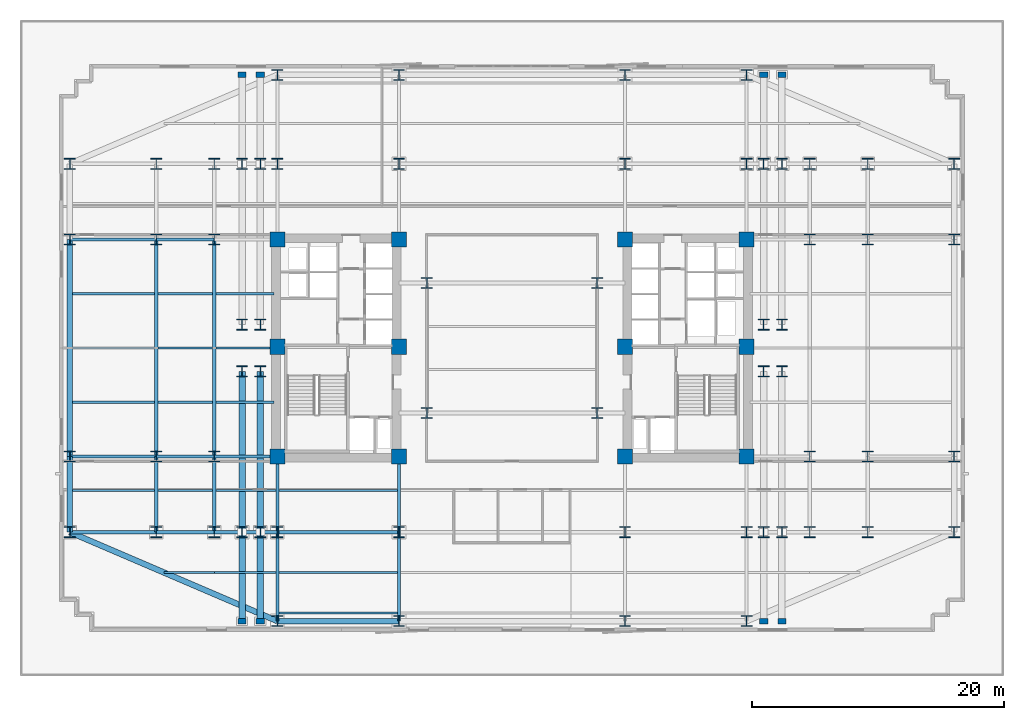
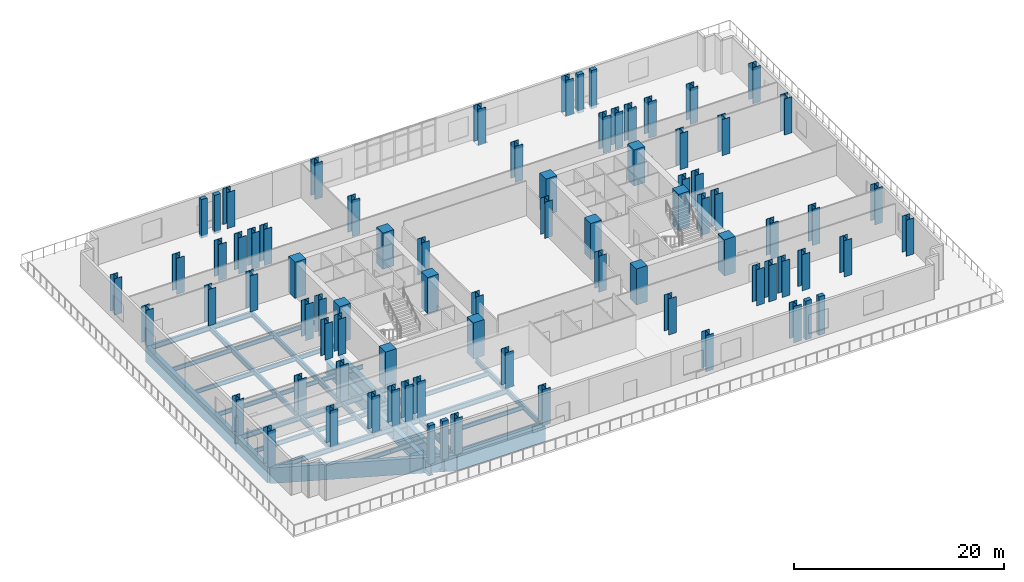
# One storey, part 1 of 14: 80 columns, 42 beams.
"""IFC4 building model written with IfcOpenShell, lengths in metres."""

from ifc_helpers import new_model, si_unit, direction, frame, origin, origin_2d, place, context, subcontext, project, spatial, rectangle, i_section, extrude, material, material_profile, profile_set, type_object, element, save


model = new_model("IFC4")

# Units and contexts
model_context = context("Model", 3, precision=1e-05, world=origin(), true_north=direction((0.0, 1.0)))
body_context = subcontext(model_context, "Body", "Model", "MODEL_VIEW")
ifc_project = project(units=[si_unit("LENGTHUNIT", "METRE"), si_unit("AREAUNIT", "SQUARE_METRE"), si_unit("VOLUMEUNIT", "CUBIC_METRE"), si_unit("PLANEANGLEUNIT", "RADIAN"), si_unit("MASSUNIT", "GRAM", prefix="KILO")], contexts=[model_context])

# Site, building, storey
site_placement = place(None, origin())
site = spatial("IfcSite", under=ifc_project, at=site_placement, CompositionType="ELEMENT")
building_placement = place(site_placement, origin())
building = spatial("IfcBuilding", under=site, at=building_placement, Name="Velakula Bourse", CompositionType="ELEMENT")
storey_placement = place(building_placement, frame((0.0, 0.0, 27.0)))
storey = spatial("IfcBuildingStorey", under=building, at=storey_placement, Name="L06", CompositionType="ELEMENT", Elevation=27.0)

# Columns
ifc_material_1 = material(Name="Concrete M70 (fck 70 MPa)", Category="concrete")
ifc_material_profile_1 = material_profile(ifc_material_1, rectangle(XDim=1.199951171875, YDim=1.199951171875, at=origin_2d()), Name="Concrete M70 (fck 70 MPa)")
ifc_profile_set_1 = profile_set([ifc_material_profile_1], Name="Concrete M70 (fck 70 MPa)")
column_type_1 = type_object("IfcColumnType", Name="COL-RC-1200", PredefinedType="COLUMN", material=ifc_profile_set_1)
for number, where, z_axis, x_axis, name in (
    (1, (-8.949951171875, -8.60009765625, 0.0), (0.0, 0.0, 1.0), (1.0, 0.0, 0.0), "L06 Core Boundary Column 01"),
    (2, (-8.949951171875, 0.10009765625, 0.0), (0.0, 0.0, 1.0), (1.0, 0.0, 0.0), "L06 Core Boundary Column 02"),
    (3, (-8.949951171875, 8.60009765625, 0.0), (0.0, 0.0, 1.0), (1.0, 0.0, 0.0), "L06 Core Boundary Column 03"),
    (4, (-18.60009765625, -8.60009765625, 0.0), (0.0, 0.0, 1.0), (1.0, 0.0, 0.0), "L06 Core Boundary Column 04"),
    (5, (-18.60009765625, 0.10009765625, 0.0), (0.0, 0.0, 1.0), (1.0, 0.0, 0.0), "L06 Core Boundary Column 05"),
    (6, (-18.60009765625, 8.60009765625, 0.0), (0.0, 0.0, 1.0), (1.0, 0.0, 0.0), "L06 Core Boundary Column 06"),
    (7, (8.949951171875, -8.60009765625, 0.0), (0.0, 0.0, 1.0), (1.0, 0.0, 0.0), "L06 Core Boundary Column 07"),
    (8, (8.949951171875, 0.10009765625, 0.0), (0.0, 0.0, 1.0), (1.0, 0.0, 0.0), "L06 Core Boundary Column 08"),
    (9, (8.949951171875, 8.60009765625, 0.0), (0.0, 0.0, 1.0), (1.0, 0.0, 0.0), "L06 Core Boundary Column 09"),
    (10, (18.60009765625, -8.60009765625, 0.0), (0.0, 0.0, 1.0), (1.0, 0.0, 0.0), "L06 Core Boundary Column 10"),
    (11, (18.60009765625, 0.10009765625, 0.0), (0.0, 0.0, 1.0), (1.0, 0.0, 0.0), "L06 Core Boundary Column 11"),
    (12, (18.60009765625, 8.60009765625, 0.0), (0.0, 0.0, 1.0), (1.0, 0.0, 0.0), "L06 Core Boundary Column 12"),
):
    element("IfcColumn", number, at=place(storey_placement, frame(where, z_axis=z_axis, x_axis=x_axis)), inside=storey, type_object=column_type_1, Name=name, PredefinedType="COLUMN", context=body_context, shape_type="SweptSolid", body=[
        extrude(rectangle(XDim=1.199951171875, YDim=1.199951171875, at=origin_2d()), origin(), (0.0, 0.0, 1.0), 4.199951171875),
    ])
ifc_material_2 = material(Name="Steel IS 2062 Grade 450 (E450)", Category="steel")
ifc_material_profile_2 = material_profile(ifc_material_2, i_section(OverallWidth=0.85009765625, OverallDepth=0.85009765625, WebThickness=0.031982421875, FlangeThickness=0.048095703125, at=origin_2d()), Name="Steel IS 2062 Grade 450 (E450)")
ifc_profile_set_2 = profile_set([ifc_material_profile_2], Name="Steel IS 2062 Grade 450 (E450)")
column_type_2 = type_object("IfcColumnType", Name="COL-STL-850", PredefinedType="COLUMN", material=ifc_profile_set_2)
for number, where, z_axis, x_axis, name in (
    (13, (-6.75, -5.14990234375, 0.0), (0.0, 0.0, 1.0), (1.0, 0.0, 0.0), "L06 Central Spine Column 01"),
    (14, (-6.75, 5.14990234375, 0.0), (0.0, 0.0, 1.0), (1.0, 0.0, 0.0), "L06 Central Spine Column 02"),
    (15, (6.75, -5.14990234375, 0.0), (0.0, 0.0, 1.0), (1.0, 0.0, 0.0), "L06 Central Spine Column 03"),
    (16, (6.75, 5.14990234375, 0.0), (0.0, 0.0, 1.0), (1.0, 0.0, 0.0), "L06 Central Spine Column 04"),
    (17, (-21.39990234375, -14.60009765625, 0.0), (0.0, 0.0, 1.0), (1.0, 0.0, 0.0), "L06 Tower Fulcrum Column 01"),
    (18, (-21.39990234375, 14.60009765625, 0.0), (0.0, 0.0, 1.0), (1.0, 0.0, 0.0), "L06 Tower Fulcrum Column 02"),
    (19, (-19.949951171875, -14.60009765625, 0.0), (0.0, 0.0, 1.0), (1.0, 0.0, 0.0), "L06 Tower Fulcrum Column 03"),
    (20, (-19.949951171875, 14.60009765625, 0.0), (0.0, 0.0, 1.0), (1.0, 0.0, 0.0), "L06 Tower Fulcrum Column 04"),
    (21, (-18.60009765625, -14.60009765625, 0.0), (0.0, 0.0, 1.0), (1.0, 0.0, 0.0), "L06 Tower Fulcrum Column 05"),
    (22, (-18.60009765625, 14.60009765625, 0.0), (0.0, 0.0, 1.0), (1.0, 0.0, 0.0), "L06 Tower Fulcrum Column 06"),
    (23, (-8.949951171875, -14.60009765625, 0.0), (0.0, 0.0, 1.0), (1.0, 0.0, 0.0), "L06 Tower Fulcrum Column 07"),
    (24, (-8.949951171875, 14.60009765625, 0.0), (0.0, 0.0, 1.0), (1.0, 0.0, 0.0), "L06 Tower Fulcrum Column 08"),
    (25, (8.949951171875, -14.60009765625, 0.0), (0.0, 0.0, 1.0), (1.0, 0.0, 0.0), "L06 Tower Fulcrum Column 09"),
    (26, (8.949951171875, 14.60009765625, 0.0), (0.0, 0.0, 1.0), (1.0, 0.0, 0.0), "L06 Tower Fulcrum Column 10"),
    (27, (18.60009765625, -14.60009765625, 0.0), (0.0, 0.0, 1.0), (1.0, 0.0, 0.0), "L06 Tower Fulcrum Column 11"),
    (28, (18.60009765625, 14.60009765625, 0.0), (0.0, 0.0, 1.0), (1.0, 0.0, 0.0), "L06 Tower Fulcrum Column 12"),
    (29, (19.949951171875, -14.60009765625, 0.0), (0.0, 0.0, 1.0), (1.0, 0.0, 0.0), "L06 Tower Fulcrum Column 13"),
    (30, (19.949951171875, 14.60009765625, 0.0), (0.0, 0.0, 1.0), (1.0, 0.0, 0.0), "L06 Tower Fulcrum Column 14"),
    (31, (21.39990234375, -14.60009765625, 0.0), (0.0, 0.0, 1.0), (1.0, 0.0, 0.0), "L06 Tower Fulcrum Column 15"),
    (32, (21.39990234375, 14.60009765625, 0.0), (0.0, 0.0, 1.0), (1.0, 0.0, 0.0), "L06 Tower Fulcrum Column 16"),
    (33, (-21.39990234375, -1.85009765625, 0.0), (0.0, 0.0, 1.0), (1.0, 0.0, 0.0), "L06 Tower Fulcrum Column 17"),
    (34, (-21.39990234375, 1.85009765625, 0.0), (0.0, 0.0, 1.0), (1.0, 0.0, 0.0), "L06 Tower Fulcrum Column 18"),
    (35, (-19.949951171875, -1.85009765625, 0.0), (0.0, 0.0, 1.0), (1.0, 0.0, 0.0), "L06 Tower Fulcrum Column 19"),
    (36, (-19.949951171875, 1.85009765625, 0.0), (0.0, 0.0, 1.0), (1.0, 0.0, 0.0), "L06 Tower Fulcrum Column 20"),
    (37, (19.949951171875, -1.85009765625, 0.0), (0.0, 0.0, 1.0), (1.0, 0.0, 0.0), "L06 Tower Fulcrum Column 21"),
    (38, (19.949951171875, 1.85009765625, 0.0), (0.0, 0.0, 1.0), (1.0, 0.0, 0.0), "L06 Tower Fulcrum Column 22"),
    (39, (21.39990234375, -1.85009765625, 0.0), (0.0, 0.0, 1.0), (1.0, 0.0, 0.0), "L06 Tower Fulcrum Column 23"),
    (40, (21.39990234375, 1.85009765625, 0.0), (0.0, 0.0, 1.0), (1.0, 0.0, 0.0), "L06 Tower Fulcrum Column 24"),
    (41, (-23.60009765625, -14.60009765625, 0.0), (0.0, 0.0, 1.0), (1.0, 0.0, 0.0), "L06 Mid-Wing Plumb Column 01"),
    (42, (-23.60009765625, -8.60009765625, 0.0), (0.0, 0.0, 1.0), (1.0, 0.0, 0.0), "L06 Mid-Wing Plumb Column 02"),
    (43, (-23.60009765625, 8.60009765625, 0.0), (0.0, 0.0, 1.0), (1.0, 0.0, 0.0), "L06 Mid-Wing Plumb Column 03"),
    (44, (-23.60009765625, 14.60009765625, 0.0), (0.0, 0.0, 1.0), (1.0, 0.0, 0.0), "L06 Mid-Wing Plumb Column 04"),
    (45, (23.60009765625, -14.60009765625, 0.0), (0.0, 0.0, 1.0), (1.0, 0.0, 0.0), "L06 Mid-Wing Plumb Column 05"),
    (46, (23.60009765625, -8.60009765625, 0.0), (0.0, 0.0, 1.0), (1.0, 0.0, 0.0), "L06 Mid-Wing Plumb Column 06"),
    (47, (23.60009765625, 8.60009765625, 0.0), (0.0, 0.0, 1.0), (1.0, 0.0, 0.0), "L06 Mid-Wing Plumb Column 07"),
    (48, (23.60009765625, 14.60009765625, 0.0), (0.0, 0.0, 1.0), (1.0, 0.0, 0.0), "L06 Mid-Wing Plumb Column 08"),
    (49, (-28.199951171875, -14.60009765625, 0.0), (0.0, 0.0, 1.0), (1.0, 0.0, 0.0), "L06 Lower Wing Column 01"),
    (50, (-28.199951171875, -8.60009765625, 0.0), (0.0, 0.0, 1.0), (1.0, 0.0, 0.0), "L06 Lower Wing Column 02"),
    (51, (-28.199951171875, 8.60009765625, 0.0), (0.0, 0.0, 1.0), (1.0, 0.0, 0.0), "L06 Lower Wing Column 03"),
    (52, (-28.199951171875, 14.60009765625, 0.0), (0.0, 0.0, 1.0), (1.0, 0.0, 0.0), "L06 Lower Wing Column 04"),
    (53, (28.199951171875, -14.60009765625, 0.0), (0.0, 0.0, 1.0), (1.0, 0.0, 0.0), "L06 Lower Wing Column 05"),
    (54, (28.199951171875, -8.60009765625, 0.0), (0.0, 0.0, 1.0), (1.0, 0.0, 0.0), "L06 Lower Wing Column 06"),
    (55, (28.199951171875, 8.60009765625, 0.0), (0.0, 0.0, 1.0), (1.0, 0.0, 0.0), "L06 Lower Wing Column 07"),
    (56, (28.199951171875, 14.60009765625, 0.0), (0.0, 0.0, 1.0), (1.0, 0.0, 0.0), "L06 Lower Wing Column 08"),
    (57, (-18.60009765625, -21.64990234375, 0.0), (0.0, 0.0, 1.0), (1.0, 0.0, 0.0), "L06 Block B1 Perimeter Column S1"),
    (58, (-8.949951171875, -21.64990234375, 0.0), (0.0, 0.0, 1.0), (1.0, 0.0, 0.0), "L06 Block B1 Perimeter Column S2"),
    (59, (8.949951171875, -21.64990234375, 0.0), (0.0, 0.0, 1.0), (1.0, 0.0, 0.0), "L06 Block B1 Perimeter Column S3"),
    (60, (18.60009765625, -21.64990234375, 0.0), (0.0, 0.0, 1.0), (1.0, 0.0, 0.0), "L06 Block B1 Perimeter Column S4"),
    (61, (-18.60009765625, 21.64990234375, 0.0), (0.0, 0.0, 1.0), (1.0, 0.0, 0.0), "L06 Block B1 Perimeter Column N1"),
    (62, (-8.949951171875, 21.64990234375, 0.0), (0.0, 0.0, 1.0), (1.0, 0.0, 0.0), "L06 Block B1 Perimeter Column N2"),
    (63, (8.949951171875, 21.64990234375, 0.0), (0.0, 0.0, 1.0), (1.0, 0.0, 0.0), "L06 Block B1 Perimeter Column N3"),
    (64, (18.60009765625, 21.64990234375, 0.0), (0.0, 0.0, 1.0), (1.0, 0.0, 0.0), "L06 Block B1 Perimeter Column N4"),
    (65, (-35.050048828125, -14.60009765625, 0.0), (0.0, 0.0, 1.0), (1.0, 0.0, 0.0), "L06 Block B1 Perimeter Column W1"),
    (66, (-35.050048828125, -8.60009765625, 0.0), (0.0, 0.0, 1.0), (1.0, 0.0, 0.0), "L06 Block B1 Perimeter Column W2"),
    (67, (-35.050048828125, 8.60009765625, 0.0), (0.0, 0.0, 1.0), (1.0, 0.0, 0.0), "L06 Block B1 Perimeter Column W3"),
    (68, (-35.050048828125, 14.60009765625, 0.0), (0.0, 0.0, 1.0), (1.0, 0.0, 0.0), "L06 Block B1 Perimeter Column W4"),
    (69, (35.050048828125, -14.60009765625, 0.0), (0.0, 0.0, 1.0), (1.0, 0.0, 0.0), "L06 Block B1 Perimeter Column E1"),
    (70, (35.050048828125, -8.60009765625, 0.0), (0.0, 0.0, 1.0), (1.0, 0.0, 0.0), "L06 Block B1 Perimeter Column E2"),
    (71, (35.050048828125, 8.60009765625, 0.0), (0.0, 0.0, 1.0), (1.0, 0.0, 0.0), "L06 Block B1 Perimeter Column E3"),
    (72, (35.050048828125, 14.60009765625, 0.0), (0.0, 0.0, 1.0), (1.0, 0.0, 0.0), "L06 Block B1 Perimeter Column E4"),
):
    element("IfcColumn", number, at=place(storey_placement, frame(where, z_axis=z_axis, x_axis=x_axis)), inside=storey, type_object=column_type_2, Name=name, PredefinedType="COLUMN", context=body_context, shape_type="SweptSolid", body=[
        extrude(i_section(OverallWidth=0.85009765625, OverallDepth=0.85009765625, WebThickness=0.031982421875, FlangeThickness=0.048095703125, at=origin_2d()), origin(), (0.0, 0.0, 1.0), 4.199951171875),
    ])
ifc_material_3 = material(Name="Precast concrete M45 (fck 45 MPa)", Category="concrete")
ifc_material_profile_3 = material_profile(ifc_material_3, rectangle(XDim=0.64990234375, YDim=0.449951171875, at=origin_2d()), Name="Precast concrete M45 (fck 45 MPa)")
ifc_profile_set_3 = profile_set([ifc_material_profile_3], Name="Precast concrete M45 (fck 45 MPa)")
column_type_3 = type_object("IfcColumnType", Name="PIL-BRICK-650", PredefinedType="PILASTER", material=ifc_profile_set_3)
for number, where, z_axis, x_axis, name in (
    (73, (-21.39990234375, -21.64990234375, -0.280029296875), (0.0, 0.0, 1.0), (1.0, 0.0, 0.0), "L06 Brick Pier Pilaster 01"),
    (74, (-19.949951171875, -21.64990234375, -0.280029296875), (0.0, 0.0, 1.0), (1.0, 0.0, 0.0), "L06 Brick Pier Pilaster 02"),
    (75, (19.949951171875, -21.64990234375, -0.280029296875), (0.0, 0.0, 1.0), (1.0, 0.0, 0.0), "L06 Brick Pier Pilaster 03"),
    (76, (21.39990234375, -21.64990234375, -0.280029296875), (0.0, 0.0, 1.0), (1.0, 0.0, 0.0), "L06 Brick Pier Pilaster 04"),
    (77, (-21.39990234375, 21.64990234375, -0.280029296875), (0.0, 0.0, 1.0), (1.0, 0.0, 0.0), "L06 Brick Pier Pilaster 05"),
    (78, (-19.949951171875, 21.64990234375, -0.280029296875), (0.0, 0.0, 1.0), (1.0, 0.0, 0.0), "L06 Brick Pier Pilaster 06"),
    (79, (19.949951171875, 21.64990234375, -0.280029296875), (0.0, 0.0, 1.0), (1.0, 0.0, 0.0), "L06 Brick Pier Pilaster 07"),
    (80, (21.39990234375, 21.64990234375, -0.280029296875), (0.0, 0.0, 1.0), (1.0, 0.0, 0.0), "L06 Brick Pier Pilaster 08"),
):
    element("IfcColumn", number, at=place(storey_placement, frame(where, z_axis=z_axis, x_axis=x_axis)), inside=storey, type_object=column_type_3, Name=name, PredefinedType="PILASTER", context=body_context, shape_type="SweptSolid", body=[
        extrude(rectangle(XDim=0.64990234375, YDim=0.449951171875, at=origin_2d()), origin(), (0.0, 0.0, 1.0), 4.47998046875),
    ])

# Beams
ifc_material_4 = material(Name="Steel IS 2062 Grade 350 (E350)", Category="steel")
ifc_material_profile_4 = material_profile(ifc_material_4, i_section(OverallWidth=0.25, OverallDepth=0.60009765625, WebThickness=0.01171875, FlangeThickness=0.023681640625, at=origin_2d()), Name="Steel IS 2062 Grade 350 (E350)")
ifc_profile_set_4 = profile_set([ifc_material_profile_4], Name="Steel IS 2062 Grade 350 (E350)")
beam_type_1 = type_object("IfcBeamType", Name="BM-GRD-600H", PredefinedType="BEAM", material=ifc_profile_set_4)
for number, where, z_axis, x_axis, name in (
    (81, (-18.60009765625, -14.60009765625, -0.580078125), (0.0, 1.0, 0.0), (-1.0, 0.0, 0.0), "L06 Fulcrum Grid Girder FLC-WS"),
    (82, (-8.949951171875, -14.60009765625, -0.580078125), (0.0, 1.0, 0.0), (-1.0, 0.0, 0.0), "L06 Fulcrum Grid Girder FLC-WCS"),
):
    element("IfcBeam", number, at=place(storey_placement, frame(where, z_axis=z_axis, x_axis=x_axis)), inside=storey, type_object=beam_type_1, Name=name, PredefinedType="BEAM", context=body_context, shape_type="SweptSolid", body=[
        extrude(i_section(OverallWidth=0.25, OverallDepth=0.60009765625, WebThickness=0.01171875, FlangeThickness=0.023681640625, at=origin_2d()), origin(), (0.0, 0.0, 1.0), 6.0),
    ])
beam_1_placement = place(storey_placement, frame((-18.60009765625, -14.60009765625, -0.580078125), z_axis=(1.0, 0.0, 0.0), x_axis=(0.0, 1.0, 0.0)))
element("IfcBeam", 83, at=beam_1_placement, inside=storey, type_object=beam_type_1, Name="L06 Fulcrum Grid Girder FLC-S1", PredefinedType="BEAM", context=body_context, shape_type="SweptSolid", body=[
    extrude(i_section(OverallWidth=0.25, OverallDepth=0.60009765625, WebThickness=0.01171875, FlangeThickness=0.023681640625, at=origin_2d()), origin(), (0.0, 0.0, 1.0), 9.650146484375),
])
for number, where, z_axis, x_axis, name in (
    (84, (-23.60009765625, -14.60009765625, -0.580078125), (1.0, 0.0, 0.0), (0.0, 1.0, 0.0), "L06 Fulcrum Grid Girder MWG-WS1"),
    (85, (-23.60009765625, -8.60009765625, -0.580078125), (1.0, 0.0, 0.0), (0.0, 1.0, 0.0), "L06 Fulcrum Grid Girder MWG-WS2"),
):
    element("IfcBeam", number, at=place(storey_placement, frame(where, z_axis=z_axis, x_axis=x_axis)), inside=storey, type_object=beam_type_1, Name=name, PredefinedType="BEAM", context=body_context, shape_type="SweptSolid", body=[
        extrude(i_section(OverallWidth=0.25, OverallDepth=0.60009765625, WebThickness=0.01171875, FlangeThickness=0.023681640625, at=origin_2d()), origin(), (0.0, 0.0, 1.0), 5.0),
    ])
beam_2_placement = place(storey_placement, frame((-23.60009765625, -14.60009765625, -0.580078125), z_axis=(0.0, 1.0, 0.0), x_axis=(-1.0, 0.0, 0.0)))
element("IfcBeam", 86, at=beam_2_placement, inside=storey, type_object=beam_type_1, Name="L06 Fulcrum Grid Girder MWG-WNS1", PredefinedType="BEAM", context=body_context, shape_type="SweptSolid", body=[
    extrude(i_section(OverallWidth=0.25, OverallDepth=0.60009765625, WebThickness=0.01171875, FlangeThickness=0.023681640625, at=origin_2d()), origin(), (0.0, 0.0, 1.0), 6.0),
])
beam_3_placement = place(storey_placement, frame((-23.60009765625, -8.60009765625, -0.580078125), z_axis=(0.0, 1.0, 0.0), x_axis=(-1.0, 0.0, 0.0)))
element("IfcBeam", 87, at=beam_3_placement, inside=storey, type_object=beam_type_1, Name="L06 Fulcrum Grid Girder MWG-WNS2", PredefinedType="BEAM", context=body_context, shape_type="SweptSolid", body=[
    extrude(i_section(OverallWidth=0.25, OverallDepth=0.60009765625, WebThickness=0.01171875, FlangeThickness=0.023681640625, at=origin_2d()), origin(), (0.0, 0.0, 1.0), 17.2001953125),
])
for number, where, z_axis, x_axis, name in (
    (88, (-28.199951171875, -14.60009765625, -0.580078125), (1.0, 0.0, 0.0), (0.0, 1.0, 0.0), "L06 Fulcrum Grid Girder WNG-WS1"),
    (89, (-28.199951171875, -8.60009765625, -0.580078125), (1.0, 0.0, 0.0), (0.0, 1.0, 0.0), "L06 Fulcrum Grid Girder WNG-WS2"),
    (90, (-28.199951171875, 8.60009765625, -0.580078125), (1.0, 0.0, 0.0), (0.0, 1.0, 0.0), "L06 Fulcrum Grid Girder WNG-WN1"),
):
    element("IfcBeam", number, at=place(storey_placement, frame(where, z_axis=z_axis, x_axis=x_axis)), inside=storey, type_object=beam_type_1, Name=name, PredefinedType="BEAM", context=body_context, shape_type="SweptSolid", body=[
        extrude(i_section(OverallWidth=0.25, OverallDepth=0.60009765625, WebThickness=0.01171875, FlangeThickness=0.023681640625, at=origin_2d()), origin(), (0.0, 0.0, 1.0), 4.599853515625),
    ])
beam_4_placement = place(storey_placement, frame((-28.199951171875, -14.60009765625, -0.580078125), z_axis=(0.0, 1.0, 0.0), x_axis=(-1.0, 0.0, 0.0)))
element("IfcBeam", 91, at=beam_4_placement, inside=storey, type_object=beam_type_1, Name="L06 Fulcrum Grid Girder WNG-WNS1", PredefinedType="BEAM", context=body_context, shape_type="SweptSolid", body=[
    extrude(i_section(OverallWidth=0.25, OverallDepth=0.60009765625, WebThickness=0.01171875, FlangeThickness=0.023681640625, at=origin_2d()), origin(), (0.0, 0.0, 1.0), 6.0),
])
beam_5_placement = place(storey_placement, frame((-28.199951171875, -8.60009765625, -0.580078125), z_axis=(0.0, 1.0, 0.0), x_axis=(-1.0, 0.0, 0.0)))
element("IfcBeam", 92, at=beam_5_placement, inside=storey, type_object=beam_type_1, Name="L06 Fulcrum Grid Girder WNG-WNS2", PredefinedType="BEAM", context=body_context, shape_type="SweptSolid", body=[
    extrude(i_section(OverallWidth=0.25, OverallDepth=0.60009765625, WebThickness=0.01171875, FlangeThickness=0.023681640625, at=origin_2d()), origin(), (0.0, 0.0, 1.0), 17.2001953125),
])
for number, where, z_axis, x_axis, name in (
    (93, (-18.60009765625, -14.60009765625, -0.580078125), (0.0, -1.0, 0.0), (1.0, 0.0, 0.0), "L06 Perimeter Tie Girder S1"),
    (94, (-8.949951171875, -14.60009765625, -0.580078125), (0.0, -1.0, 0.0), (1.0, 0.0, 0.0), "L06 Perimeter Tie Girder S2"),
):
    element("IfcBeam", number, at=place(storey_placement, frame(where, z_axis=z_axis, x_axis=x_axis)), inside=storey, type_object=beam_type_1, Name=name, PredefinedType="BEAM", context=body_context, shape_type="SweptSolid", body=[
        extrude(i_section(OverallWidth=0.25, OverallDepth=0.60009765625, WebThickness=0.01171875, FlangeThickness=0.023681640625, at=origin_2d()), origin(), (0.0, 0.0, 1.0), 7.0498046875),
    ])
for number, where, z_axis, x_axis, name in (
    (95, (-28.199951171875, -14.60009765625, -0.580078125), (-1.0, 0.0, 0.0), (0.0, -1.0, 0.0), "L06 Perimeter Tie Girder W1"),
    (96, (-28.199951171875, -8.60009765625, -0.580078125), (-1.0, 0.0, 0.0), (0.0, -1.0, 0.0), "L06 Perimeter Tie Girder W2"),
    (97, (-28.199951171875, 8.60009765625, -0.580078125), (-1.0, 0.0, 0.0), (0.0, -1.0, 0.0), "L06 Perimeter Tie Girder W3"),
):
    element("IfcBeam", number, at=place(storey_placement, frame(where, z_axis=z_axis, x_axis=x_axis)), inside=storey, type_object=beam_type_1, Name=name, PredefinedType="BEAM", context=body_context, shape_type="SweptSolid", body=[
        extrude(i_section(OverallWidth=0.25, OverallDepth=0.60009765625, WebThickness=0.01171875, FlangeThickness=0.023681640625, at=origin_2d()), origin(), (0.0, 0.0, 1.0), 6.85009765625),
    ])
ifc_material_profile_5 = material_profile(ifc_material_4, i_section(OverallWidth=0.179931640625, OverallDepth=0.5, WebThickness=0.01025390625, FlangeThickness=0.01708984375, at=origin_2d()), Name="Steel IS 2062 Grade 350 (E350)")
ifc_profile_set_5 = profile_set([ifc_material_profile_5], Name="Steel IS 2062 Grade 350 (E350)")
beam_type_2 = type_object("IfcBeamType", Name="JST-TWR-500", PredefinedType="JOIST", material=ifc_profile_set_5)
beam_6_placement = place(storey_placement, frame((-18.47509765625, -21.0, -0.530029296875), z_axis=(1.0, 0.0, 0.0), x_axis=(0.0, 1.0, 0.0)))
element("IfcBeam", 98, at=beam_6_placement, inside=storey, type_object=beam_type_2, Name="L06 Trading Floor Composite Joist 01", PredefinedType="JOIST", context=body_context, shape_type="SweptSolid", body=[
    extrude(i_section(OverallWidth=0.179931640625, OverallDepth=0.5, WebThickness=0.01025390625, FlangeThickness=0.01708984375, at=origin_2d()), origin(), (0.0, 0.0, 1.0), 9.400146484375),
])
beam_7_placement = place(storey_placement, frame((-27.583251953125, -17.800048828125, -0.530029296875), z_axis=(1.0, 0.0, 0.0), x_axis=(0.0, 1.0, 0.0)))
element("IfcBeam", 99, at=beam_7_placement, inside=storey, type_object=beam_type_2, Name="L06 Trading Floor Composite Joist 04", PredefinedType="JOIST", context=body_context, shape_type="SweptSolid", body=[
    extrude(i_section(OverallWidth=0.179931640625, OverallDepth=0.5, WebThickness=0.01025390625, FlangeThickness=0.01708984375, at=origin_2d()), origin(), (0.0, 0.0, 1.0), 3.983154296875),
])
beam_8_placement = place(storey_placement, frame((-23.60009765625, -17.800048828125, -0.530029296875), z_axis=(1.0, 0.0, 0.0), x_axis=(0.0, 1.0, 0.0)))
element("IfcBeam", 100, at=beam_8_placement, inside=storey, type_object=beam_type_2, Name="L06 Trading Floor Composite Joist 05", PredefinedType="JOIST", context=body_context, shape_type="SweptSolid", body=[
    extrude(i_section(OverallWidth=0.179931640625, OverallDepth=0.5, WebThickness=0.01025390625, FlangeThickness=0.01708984375, at=origin_2d()), origin(), (0.0, 0.0, 1.0), 4.875),
])
beam_9_placement = place(storey_placement, frame((-18.47509765625, -17.800048828125, -0.530029296875), z_axis=(1.0, 0.0, 0.0), x_axis=(0.0, 1.0, 0.0)))
element("IfcBeam", 101, at=beam_9_placement, inside=storey, type_object=beam_type_2, Name="L06 Trading Floor Composite Joist 06", PredefinedType="JOIST", context=body_context, shape_type="SweptSolid", body=[
    extrude(i_section(OverallWidth=0.179931640625, OverallDepth=0.5, WebThickness=0.01025390625, FlangeThickness=0.01708984375, at=origin_2d()), origin(), (0.0, 0.0, 1.0), 9.400146484375),
])
beam_10_placement = place(storey_placement, frame((-34.824951171875, -11.300048828125, -0.530029296875), z_axis=(1.0, 0.0, 0.0), x_axis=(0.0, 1.0, 0.0)))
element("IfcBeam", 102, at=beam_10_placement, inside=storey, type_object=beam_type_2, Name="L06 Trading Floor Composite Joist 11", PredefinedType="JOIST", context=body_context, shape_type="SweptSolid", body=[
    extrude(i_section(OverallWidth=0.179931640625, OverallDepth=0.5, WebThickness=0.01025390625, FlangeThickness=0.01708984375, at=origin_2d()), origin(), (0.0, 0.0, 1.0), 6.5),
])
beam_11_placement = place(storey_placement, frame((-28.074951171875, -11.300048828125, -0.530029296875), z_axis=(1.0, 0.0, 0.0), x_axis=(0.0, 1.0, 0.0)))
element("IfcBeam", 103, at=beam_11_placement, inside=storey, type_object=beam_type_2, Name="L06 Trading Floor Composite Joist 12", PredefinedType="JOIST", context=body_context, shape_type="SweptSolid", body=[
    extrude(i_section(OverallWidth=0.179931640625, OverallDepth=0.5, WebThickness=0.01025390625, FlangeThickness=0.01708984375, at=origin_2d()), origin(), (0.0, 0.0, 1.0), 4.349853515625),
])
beam_12_placement = place(storey_placement, frame((-23.47509765625, -11.300048828125, -0.530029296875), z_axis=(1.0, 0.0, 0.0), x_axis=(0.0, 1.0, 0.0)))
element("IfcBeam", 104, at=beam_12_placement, inside=storey, type_object=beam_type_2, Name="L06 Trading Floor Composite Joist 13", PredefinedType="JOIST", context=body_context, shape_type="SweptSolid", body=[
    extrude(i_section(OverallWidth=0.179931640625, OverallDepth=0.5, WebThickness=0.01025390625, FlangeThickness=0.01708984375, at=origin_2d()), origin(), (0.0, 0.0, 1.0), 4.75),
])
beam_13_placement = place(storey_placement, frame((-18.47509765625, -11.300048828125, -0.530029296875), z_axis=(1.0, 0.0, 0.0), x_axis=(0.0, 1.0, 0.0)))
element("IfcBeam", 105, at=beam_13_placement, inside=storey, type_object=beam_type_2, Name="L06 Trading Floor Composite Joist 14", PredefinedType="JOIST", context=body_context, shape_type="SweptSolid", body=[
    extrude(i_section(OverallWidth=0.179931640625, OverallDepth=0.5, WebThickness=0.01025390625, FlangeThickness=0.01708984375, at=origin_2d()), origin(), (0.0, 0.0, 1.0), 9.400146484375),
])
beam_14_placement = place(storey_placement, frame((-34.824951171875, -4.300048828125, -0.530029296875), z_axis=(1.0, 0.0, 0.0), x_axis=(0.0, 1.0, 0.0)))
element("IfcBeam", 106, at=beam_14_placement, inside=storey, type_object=beam_type_2, Name="L06 Trading Floor Composite Joist 41", PredefinedType="JOIST", context=body_context, shape_type="SweptSolid", body=[
    extrude(i_section(OverallWidth=0.179931640625, OverallDepth=0.5, WebThickness=0.01025390625, FlangeThickness=0.01708984375, at=origin_2d()), origin(), (0.0, 0.0, 1.0), 6.5),
])
beam_15_placement = place(storey_placement, frame((-28.074951171875, -4.300048828125, -0.530029296875), z_axis=(1.0, 0.0, 0.0), x_axis=(0.0, 1.0, 0.0)))
element("IfcBeam", 107, at=beam_15_placement, inside=storey, type_object=beam_type_2, Name="L06 Trading Floor Composite Joist 42", PredefinedType="JOIST", context=body_context, shape_type="SweptSolid", body=[
    extrude(i_section(OverallWidth=0.179931640625, OverallDepth=0.5, WebThickness=0.01025390625, FlangeThickness=0.01708984375, at=origin_2d()), origin(), (0.0, 0.0, 1.0), 4.349853515625),
])
beam_16_placement = place(storey_placement, frame((-23.47509765625, -4.300048828125, -0.530029296875), z_axis=(1.0, 0.0, 0.0), x_axis=(0.0, 1.0, 0.0)))
element("IfcBeam", 108, at=beam_16_placement, inside=storey, type_object=beam_type_2, Name="L06 Trading Floor Composite Joist 43", PredefinedType="JOIST", context=body_context, shape_type="SweptSolid", body=[
    extrude(i_section(OverallWidth=0.179931640625, OverallDepth=0.5, WebThickness=0.01025390625, FlangeThickness=0.01708984375, at=origin_2d()), origin(), (0.0, 0.0, 1.0), 4.625),
])
beam_17_placement = place(storey_placement, frame((-34.824951171875, 0.0, -0.530029296875), z_axis=(1.0, 0.0, 0.0), x_axis=(0.0, 1.0, 0.0)))
element("IfcBeam", 109, at=beam_17_placement, inside=storey, type_object=beam_type_2, Name="L06 Trading Floor Composite Joist 47", PredefinedType="JOIST", context=body_context, shape_type="SweptSolid", body=[
    extrude(i_section(OverallWidth=0.179931640625, OverallDepth=0.5, WebThickness=0.01025390625, FlangeThickness=0.01708984375, at=origin_2d()), origin(), (0.0, 0.0, 1.0), 6.5),
])
beam_18_placement = place(storey_placement, frame((-28.074951171875, 0.0, -0.530029296875), z_axis=(1.0, 0.0, 0.0), x_axis=(0.0, 1.0, 0.0)))
element("IfcBeam", 110, at=beam_18_placement, inside=storey, type_object=beam_type_2, Name="L06 Trading Floor Composite Joist 48", PredefinedType="JOIST", context=body_context, shape_type="SweptSolid", body=[
    extrude(i_section(OverallWidth=0.179931640625, OverallDepth=0.5, WebThickness=0.01025390625, FlangeThickness=0.01708984375, at=origin_2d()), origin(), (0.0, 0.0, 1.0), 4.349853515625),
])
beam_19_placement = place(storey_placement, frame((-23.47509765625, 0.0, -0.530029296875), z_axis=(1.0, 0.0, 0.0), x_axis=(0.0, 1.0, 0.0)))
element("IfcBeam", 111, at=beam_19_placement, inside=storey, type_object=beam_type_2, Name="L06 Trading Floor Composite Joist 49", PredefinedType="JOIST", context=body_context, shape_type="SweptSolid", body=[
    extrude(i_section(OverallWidth=0.179931640625, OverallDepth=0.5, WebThickness=0.01025390625, FlangeThickness=0.01708984375, at=origin_2d()), origin(), (0.0, 0.0, 1.0), 4.625),
])
beam_20_placement = place(storey_placement, frame((-34.824951171875, 4.300048828125, -0.530029296875), z_axis=(1.0, 0.0, 0.0), x_axis=(0.0, 1.0, 0.0)))
element("IfcBeam", 112, at=beam_20_placement, inside=storey, type_object=beam_type_2, Name="L06 Trading Floor Composite Joist 53", PredefinedType="JOIST", context=body_context, shape_type="SweptSolid", body=[
    extrude(i_section(OverallWidth=0.179931640625, OverallDepth=0.5, WebThickness=0.01025390625, FlangeThickness=0.01708984375, at=origin_2d()), origin(), (0.0, 0.0, 1.0), 6.5),
])
beam_21_placement = place(storey_placement, frame((-28.074951171875, 4.300048828125, -0.530029296875), z_axis=(1.0, 0.0, 0.0), x_axis=(0.0, 1.0, 0.0)))
element("IfcBeam", 113, at=beam_21_placement, inside=storey, type_object=beam_type_2, Name="L06 Trading Floor Composite Joist 54", PredefinedType="JOIST", context=body_context, shape_type="SweptSolid", body=[
    extrude(i_section(OverallWidth=0.179931640625, OverallDepth=0.5, WebThickness=0.01025390625, FlangeThickness=0.01708984375, at=origin_2d()), origin(), (0.0, 0.0, 1.0), 4.349853515625),
])
beam_22_placement = place(storey_placement, frame((-23.47509765625, 4.300048828125, -0.530029296875), z_axis=(1.0, 0.0, 0.0), x_axis=(0.0, 1.0, 0.0)))
element("IfcBeam", 114, at=beam_22_placement, inside=storey, type_object=beam_type_2, Name="L06 Trading Floor Composite Joist 55", PredefinedType="JOIST", context=body_context, shape_type="SweptSolid", body=[
    extrude(i_section(OverallWidth=0.179931640625, OverallDepth=0.5, WebThickness=0.01025390625, FlangeThickness=0.01708984375, at=origin_2d()), origin(), (0.0, 0.0, 1.0), 4.625),
])
ifc_material_5 = material(Name="Concrete M50 (fck 50 MPa)", Category="concrete")
ifc_material_profile_6 = material_profile(ifc_material_5, rectangle(XDim=0.449951171875, YDim=1.800048828125, at=origin_2d()), Name="Concrete M50 (fck 50 MPa)")
ifc_profile_set_6 = profile_set([ifc_material_profile_6], Name="Concrete M50 (fck 50 MPa)")
beam_type_3 = type_object("IfcBeamType", Name="SPN-TRF-1800", PredefinedType="SPANDREL", material=ifc_profile_set_6)
beam_23_placement = place(storey_placement, frame((-18.60009765625, -21.64990234375, -1.179931640625), z_axis=(1.0, 0.0, 0.0), x_axis=(0.0, 1.0, 0.0)))
element("IfcBeam", 115, at=beam_23_placement, inside=storey, type_object=beam_type_3, Name="L06 Brick-Faced Precast Spandrel S1-S2", PredefinedType="SPANDREL", context=body_context, shape_type="SweptSolid", body=[
    extrude(rectangle(XDim=0.449951171875, YDim=1.800048828125, at=origin_2d()), origin(), (0.0, 0.0, 1.0), 9.650146484375),
])
beam_24_placement = place(storey_placement, frame((-35.050048828125, -14.60009765625, -1.179931640625), z_axis=(0.0, 1.0, 0.0), x_axis=(-1.0, 0.0, 0.0)))
element("IfcBeam", 116, at=beam_24_placement, inside=storey, type_object=beam_type_3, Name="L06 Brick-Faced Precast Spandrel W1-W2", PredefinedType="SPANDREL", context=body_context, shape_type="SweptSolid", body=[
    extrude(rectangle(XDim=0.449951171875, YDim=1.800048828125, at=origin_2d()), origin(), (0.0, 0.0, 1.0), 6.0),
])
beam_25_placement = place(storey_placement, frame((-35.050048828125, -8.60009765625, -1.179931640625), z_axis=(0.0, 1.0, 0.0), x_axis=(-1.0, 0.0, 0.0)))
element("IfcBeam", 117, at=beam_25_placement, inside=storey, type_object=beam_type_3, Name="L06 Brick-Faced Precast Spandrel W2-W3", PredefinedType="SPANDREL", context=body_context, shape_type="SweptSolid", body=[
    extrude(rectangle(XDim=0.449951171875, YDim=1.800048828125, at=origin_2d()), origin(), (0.0, 0.0, 1.0), 17.2001953125),
])
beam_26_placement = place(storey_placement, frame((-35.050048828125, -14.60009765625, -1.179931640625), z_axis=(0.919148557947, -0.393911066642, 0.0), x_axis=(0.393911066642, 0.919148557947, 0.0)))
element("IfcBeam", 118, at=beam_26_placement, inside=storey, type_object=beam_type_3, Name="L06 Brick-Faced Precast Spandrel W1-S1", PredefinedType="SPANDREL", context=body_context, shape_type="SweptSolid", body=[
    extrude(rectangle(XDim=0.449951171875, YDim=1.800048828125, at=origin_2d()), origin(), (0.0, 0.0, 1.0), 17.89697265625),
])
ifc_material_profile_7 = material_profile(ifc_material_2, i_section(OverallWidth=0.52001953125, OverallDepth=1.5, WebThickness=0.030029296875, FlangeThickness=0.048095703125, at=origin_2d()), Name="Steel IS 2062 Grade 450 (E450)")
ifc_profile_set_7 = profile_set([ifc_material_profile_7], Name="Steel IS 2062 Grade 450 (E450)")
beam_type_4 = type_object("IfcBeamType", Name="TB-CANT-1500", PredefinedType="BEAM", material=ifc_profile_set_7)
beam_27_placement = place(storey_placement, frame((-21.39990234375, -1.85009765625, -1.030029296875), z_axis=(0.0, -1.0, 0.0), x_axis=(1.0, 0.0, 0.0)))
element("IfcBeam", 119, at=beam_27_placement, inside=storey, type_object=beam_type_4, Name="L06 Collinear Transfer Back-Span Girder P01", PredefinedType="BEAM", context=body_context, shape_type="SweptSolid", body=[
    extrude(i_section(OverallWidth=0.52001953125, OverallDepth=1.5, WebThickness=0.030029296875, FlangeThickness=0.048095703125, at=origin_2d()), origin(), (0.0, 0.0, 1.0), 12.75),
])
beam_28_placement = place(storey_placement, frame((-21.39990234375, -14.60009765625, -1.030029296875), z_axis=(0.0, -1.0, 0.0), x_axis=(1.0, 0.0, 0.0)))
element("IfcBeam", 120, at=beam_28_placement, inside=storey, type_object=beam_type_4, Name="L06 Primary Cantilever Transfer Chord P01", PredefinedType="BEAM", context=body_context, shape_type="SweptSolid", body=[
    extrude(i_section(OverallWidth=0.52001953125, OverallDepth=1.5, WebThickness=0.030029296875, FlangeThickness=0.048095703125, at=origin_2d()), origin(), (0.0, 0.0, 1.0), 7.0498046875),
])
beam_29_placement = place(storey_placement, frame((-19.949951171875, -1.85009765625, -1.030029296875), z_axis=(0.0, -1.0, 0.0), x_axis=(1.0, 0.0, 0.0)))
element("IfcBeam", 121, at=beam_29_placement, inside=storey, type_object=beam_type_4, Name="L06 Collinear Transfer Back-Span Girder P02", PredefinedType="BEAM", context=body_context, shape_type="SweptSolid", body=[
    extrude(i_section(OverallWidth=0.52001953125, OverallDepth=1.5, WebThickness=0.030029296875, FlangeThickness=0.048095703125, at=origin_2d()), origin(), (0.0, 0.0, 1.0), 12.75),
])
beam_30_placement = place(storey_placement, frame((-19.949951171875, -14.60009765625, -1.030029296875), z_axis=(0.0, -1.0, 0.0), x_axis=(1.0, 0.0, 0.0)))
element("IfcBeam", 122, at=beam_30_placement, inside=storey, type_object=beam_type_4, Name="L06 Primary Cantilever Transfer Chord P02", PredefinedType="BEAM", context=body_context, shape_type="SweptSolid", body=[
    extrude(i_section(OverallWidth=0.52001953125, OverallDepth=1.5, WebThickness=0.030029296875, FlangeThickness=0.048095703125, at=origin_2d()), origin(), (0.0, 0.0, 1.0), 7.0498046875),
])

save(model, "model.ifc")
